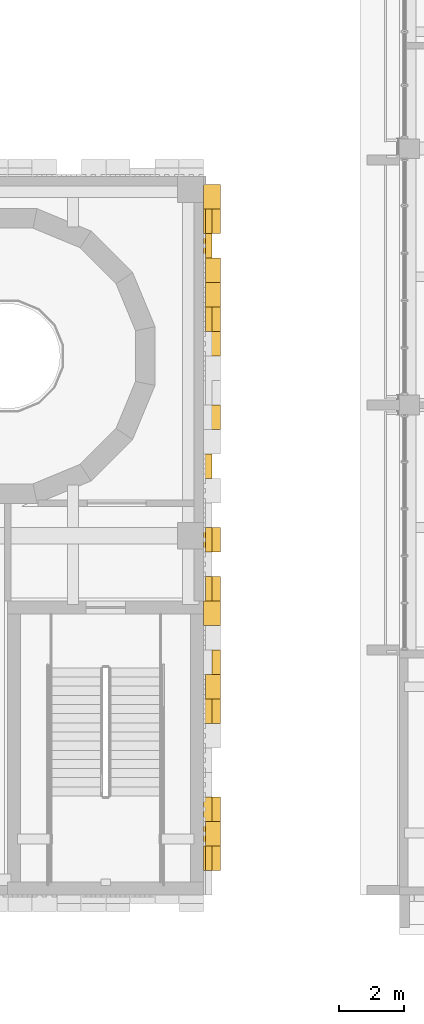
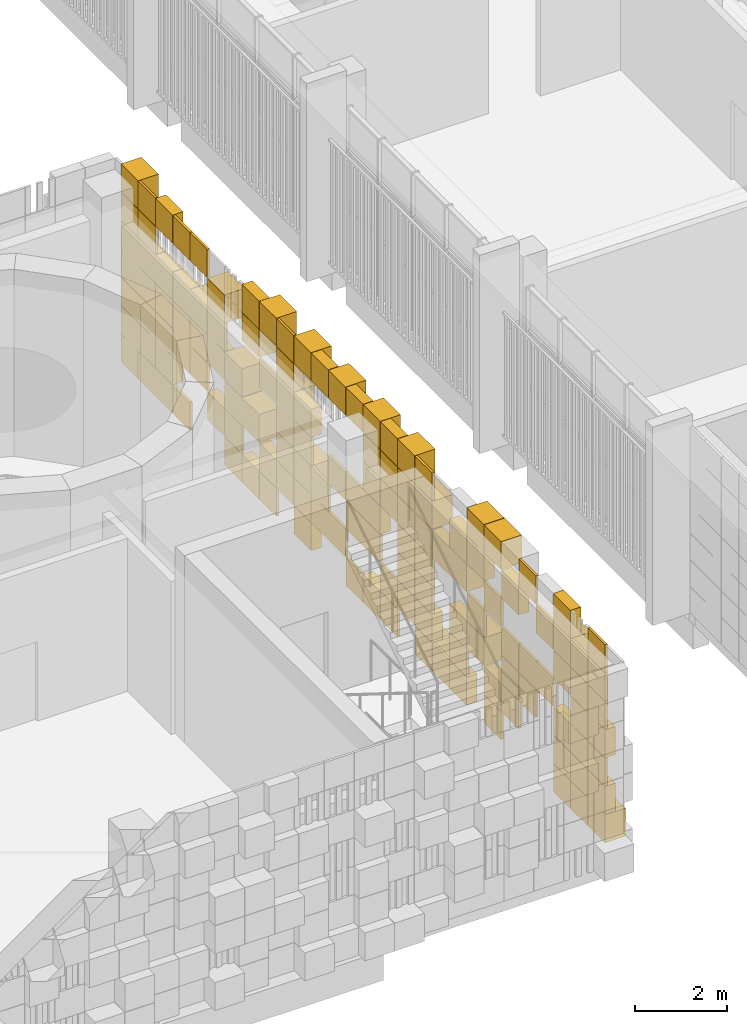
# One storey, part 106 of 125: 3 coverings.
"""IFC4 building model written with IfcOpenShell, lengths in metres."""

from ifc_helpers import new_model, si_unit, direction, frame, origin, origin_2d, place, context, subcontext, project, spatial, rectangle, extrude, material, layer, layer_set, type_object, element, save


model = new_model("IFC4")

# Units and contexts
model_context = context("Model", 3, precision=1e-05, world=origin(), true_north=direction((0.0, 1.0)))
body_context = subcontext(model_context, "Body", "Model", "MODEL_VIEW")
ifc_project = project(units=[si_unit("LENGTHUNIT", "METRE"), si_unit("AREAUNIT", "SQUARE_METRE"), si_unit("VOLUMEUNIT", "CUBIC_METRE"), si_unit("PLANEANGLEUNIT", "RADIAN"), si_unit("MASSUNIT", "GRAM", prefix="KILO")], contexts=[model_context])

# Site, building, storey
site_placement = place(None, origin())
site = spatial("IfcSite", under=ifc_project, at=site_placement, CompositionType="ELEMENT")
building_placement = place(site_placement, origin())
building = spatial("IfcBuilding", under=site, at=building_placement, Name="Sun Court Science Centre", CompositionType="ELEMENT")
storey_placement = place(building_placement, frame((0.0, 0.0, 6.0)))
storey = spatial("IfcBuildingStorey", under=building, at=storey_placement, Name="L01", CompositionType="ELEMENT", Elevation=6.0)

# Coverings
ifc_material_1 = material(Name="Terracotta shade 1", Category="masonry")
ifc_layer_1 = layer(ifc_material_1, 0.06005859375)
ifc_layer_set_1 = layer_set([ifc_layer_1], Name="Terracotta shade 1")
covering_type_1 = type_object("IfcCoveringType", Name="Terracotta pixel panel shade 1", PredefinedType="CLADDING", material=ifc_layer_set_1)
covering_1_placement = place(storey_placement, frame((0.0, 0.0, -6.0)))
element("IfcCovering", 1, at=covering_1_placement, inside=storey, type_object=covering_type_1, Name="Terracotta pixel cladding shade 1 east face L01", PredefinedType="CLADDING", context=body_context, shape_type="SweptSolid", body=[
    extrude(rectangle(XDim=0.739990234375, YDim=0.06005859375, at=origin_2d()), frame((72.030029296875, 27.375, 6.0048828125), z_axis=(0.0, 0.0, 1.0), x_axis=(0.0, -1.0, 0.0)), (0.0, 0.0, 1.0), 0.739990234375),
    extrude(rectangle(XDim=0.739990234375, YDim=0.06005859375, at=origin_2d()), frame((72.030029296875, 25.125, 6.0048828125), z_axis=(0.0, 0.0, 1.0), x_axis=(0.0, -1.0, 0.0)), (0.0, 0.0, 1.0), 0.739990234375),
    extrude(rectangle(XDim=0.739990234375, YDim=0.260009765625, at=origin_2d()), frame((72.1298828125, 13.125, 6.0048828125), z_axis=(0.0, 0.0, 1.0), x_axis=(0.0, -1.0, 0.0)), (0.0, 0.0, 1.0), 0.739990234375),
    extrude(rectangle(XDim=0.739990234375, YDim=0.06005859375, at=origin_2d()), frame((72.030029296875, 8.625, 6.0048828125), z_axis=(0.0, 0.0, 1.0), x_axis=(0.0, -1.0, 0.0)), (0.0, 0.0, 1.0), 0.739990234375),
    extrude(rectangle(XDim=0.739990234375, YDim=0.06005859375, at=origin_2d()), frame((72.030029296875, 26.625, 6.7548828125), z_axis=(0.0, 0.0, 1.0), x_axis=(0.0, -1.0, 0.0)), (0.0, 0.0, 1.0), 0.739990234375),
    extrude(rectangle(XDim=0.739990234375, YDim=0.260009765625, at=origin_2d()), frame((72.1298828125, 23.625, 6.7548828125), z_axis=(0.0, 0.0, 1.0), x_axis=(0.0, -1.0, 0.0)), (0.0, 0.0, 1.0), 0.739990234375),
    extrude(rectangle(XDim=0.739990234375, YDim=0.260009765625, at=origin_2d()), frame((72.1298828125, 21.375, 6.7548828125), z_axis=(0.0, 0.0, 1.0), x_axis=(0.0, -1.0, 0.0)), (0.0, 0.0, 1.0), 0.739990234375),
    extrude(rectangle(XDim=0.739990234375, YDim=0.06005859375, at=origin_2d()), frame((72.030029296875, 19.125, 6.7548828125), z_axis=(0.0, 0.0, 1.0), x_axis=(0.0, -1.0, 0.0)), (0.0, 0.0, 1.0), 0.739990234375),
    extrude(rectangle(XDim=0.739990234375, YDim=0.06005859375, at=origin_2d()), frame((72.030029296875, 18.375, 6.7548828125), z_axis=(0.0, 0.0, 1.0), x_axis=(0.0, -1.0, 0.0)), (0.0, 0.0, 1.0), 0.739990234375),
    extrude(rectangle(XDim=0.739990234375, YDim=0.260009765625, at=origin_2d()), frame((72.1298828125, 14.625, 6.7548828125), z_axis=(0.0, 0.0, 1.0), x_axis=(0.0, -1.0, 0.0)), (0.0, 0.0, 1.0), 0.739990234375),
    extrude(rectangle(XDim=0.739990234375, YDim=0.06005859375, at=origin_2d()), frame((72.030029296875, 13.125, 6.7548828125), z_axis=(0.0, 0.0, 1.0), x_axis=(0.0, -1.0, 0.0)), (0.0, 0.0, 1.0), 0.739990234375),
    extrude(rectangle(XDim=0.739990234375, YDim=0.06005859375, at=origin_2d()), frame((72.030029296875, 10.875, 6.7548828125), z_axis=(0.0, 0.0, 1.0), x_axis=(0.0, -1.0, 0.0)), (0.0, 0.0, 1.0), 0.739990234375),
    extrude(rectangle(XDim=0.739990234375, YDim=0.06005859375, at=origin_2d()), frame((72.030029296875, 7.875, 6.7548828125), z_axis=(0.0, 0.0, 1.0), x_axis=(0.0, -1.0, 0.0)), (0.0, 0.0, 1.0), 0.739990234375),
    extrude(rectangle(XDim=0.739990234375, YDim=0.260009765625, at=origin_2d()), frame((72.1298828125, 7.125, 6.7548828125), z_axis=(0.0, 0.0, 1.0), x_axis=(0.0, -1.0, 0.0)), (0.0, 0.0, 1.0), 0.739990234375),
    extrude(rectangle(XDim=0.739990234375, YDim=0.06005859375, at=origin_2d()), frame((72.030029296875, 26.625, 7.5048828125), z_axis=(0.0, 0.0, 1.0), x_axis=(0.0, -1.0, 0.0)), (0.0, 0.0, 1.0), 0.739990234375),
    extrude(rectangle(XDim=0.739990234375, YDim=0.06005859375, at=origin_2d()), frame((72.030029296875, 24.375, 7.5048828125), z_axis=(0.0, 0.0, 1.0), x_axis=(0.0, -1.0, 0.0)), (0.0, 0.0, 1.0), 0.739990234375),
    extrude(rectangle(XDim=0.739990234375, YDim=0.510009765625, at=origin_2d()), frame((72.2548828125, 22.875, 7.5048828125), z_axis=(0.0, 0.0, 1.0), x_axis=(0.0, -1.0, 0.0)), (0.0, 0.0, 1.0), 0.739990234375),
    extrude(rectangle(XDim=0.739990234375, YDim=0.510009765625, at=origin_2d()), frame((72.2548828125, 22.125, 7.5048828125), z_axis=(0.0, 0.0, 1.0), x_axis=(0.0, -1.0, 0.0)), (0.0, 0.0, 1.0), 0.739990234375),
    extrude(rectangle(XDim=0.739990234375, YDim=0.06005859375, at=origin_2d()), frame((72.030029296875, 19.125, 7.5048828125), z_axis=(0.0, 0.0, 1.0), x_axis=(0.0, -1.0, 0.0)), (0.0, 0.0, 1.0), 0.739990234375),
    extrude(rectangle(XDim=0.739990234375, YDim=0.510009765625, at=origin_2d()), frame((72.2548828125, 15.375, 7.5048828125), z_axis=(0.0, 0.0, 1.0), x_axis=(0.0, -1.0, 0.0)), (0.0, 0.0, 1.0), 0.739990234375),
    extrude(rectangle(XDim=0.739990234375, YDim=0.510009765625, at=origin_2d()), frame((72.2548828125, 12.375, 7.5048828125), z_axis=(0.0, 0.0, 1.0), x_axis=(0.0, -1.0, 0.0)), (0.0, 0.0, 1.0), 0.739990234375),
    extrude(rectangle(XDim=0.739990234375, YDim=0.06005859375, at=origin_2d()), frame((72.030029296875, 7.125, 7.5048828125), z_axis=(0.0, 0.0, 1.0), x_axis=(0.0, -1.0, 0.0)), (0.0, 0.0, 1.0), 0.739990234375),
    extrude(rectangle(XDim=0.739990234375, YDim=0.260009765625, at=origin_2d()), frame((72.1298828125, 27.375, 8.2548828125), z_axis=(0.0, 0.0, 1.0), x_axis=(0.0, -1.0, 0.0)), (0.0, 0.0, 1.0), 0.739990234375),
    extrude(rectangle(XDim=0.739990234375, YDim=0.510009765625, at=origin_2d()), frame((72.2548828125, 26.625, 8.2548828125), z_axis=(0.0, 0.0, 1.0), x_axis=(0.0, -1.0, 0.0)), (0.0, 0.0, 1.0), 0.739990234375),
    extrude(rectangle(XDim=0.739990234375, YDim=0.510009765625, at=origin_2d()), frame((72.2548828125, 24.375, 8.2548828125), z_axis=(0.0, 0.0, 1.0), x_axis=(0.0, -1.0, 0.0)), (0.0, 0.0, 1.0), 0.739990234375),
    extrude(rectangle(XDim=0.739990234375, YDim=0.510009765625, at=origin_2d()), frame((72.2548828125, 22.875, 8.2548828125), z_axis=(0.0, 0.0, 1.0), x_axis=(0.0, -1.0, 0.0)), (0.0, 0.0, 1.0), 0.739990234375),
    extrude(rectangle(XDim=0.739990234375, YDim=0.06005859375, at=origin_2d()), frame((72.030029296875, 18.375, 8.2548828125), z_axis=(0.0, 0.0, 1.0), x_axis=(0.0, -1.0, 0.0)), (0.0, 0.0, 1.0), 0.739990234375),
    extrude(rectangle(XDim=0.739990234375, YDim=0.06005859375, at=origin_2d()), frame((72.030029296875, 14.625, 8.2548828125), z_axis=(0.0, 0.0, 1.0), x_axis=(0.0, -1.0, 0.0)), (0.0, 0.0, 1.0), 0.739990234375),
    extrude(rectangle(XDim=0.739990234375, YDim=0.06005859375, at=origin_2d()), frame((72.030029296875, 10.875, 8.2548828125), z_axis=(0.0, 0.0, 1.0), x_axis=(0.0, -1.0, 0.0)), (0.0, 0.0, 1.0), 0.739990234375),
    extrude(rectangle(XDim=0.739990234375, YDim=0.260009765625, at=origin_2d()), frame((72.1298828125, 7.875, 8.2548828125), z_axis=(0.0, 0.0, 1.0), x_axis=(0.0, -1.0, 0.0)), (0.0, 0.0, 1.0), 0.739990234375),
    extrude(rectangle(XDim=0.739990234375, YDim=0.260009765625, at=origin_2d()), frame((72.1298828125, 26.625, 9.0048828125), z_axis=(0.0, 0.0, 1.0), x_axis=(0.0, -1.0, 0.0)), (0.0, 0.0, 1.0), 0.739990234375),
    extrude(rectangle(XDim=0.739990234375, YDim=0.260009765625, at=origin_2d()), frame((72.1298828125, 25.875, 9.0048828125), z_axis=(0.0, 0.0, 1.0), x_axis=(0.0, -1.0, 0.0)), (0.0, 0.0, 1.0), 0.739990234375),
    extrude(rectangle(XDim=0.739990234375, YDim=0.06005859375, at=origin_2d()), frame((72.030029296875, 21.375, 9.0048828125), z_axis=(0.0, 0.0, 1.0), x_axis=(0.0, -1.0, 0.0)), (0.0, 0.0, 1.0), 0.739990234375),
    extrude(rectangle(XDim=0.739990234375, YDim=0.06005859375, at=origin_2d()), frame((72.030029296875, 16.875, 9.0048828125), z_axis=(0.0, 0.0, 1.0), x_axis=(0.0, -1.0, 0.0)), (0.0, 0.0, 1.0), 0.739990234375),
    extrude(rectangle(XDim=0.739990234375, YDim=0.260009765625, at=origin_2d()), frame((72.1298828125, 14.625, 9.0048828125), z_axis=(0.0, 0.0, 1.0), x_axis=(0.0, -1.0, 0.0)), (0.0, 0.0, 1.0), 0.739990234375),
    extrude(rectangle(XDim=0.739990234375, YDim=0.06005859375, at=origin_2d()), frame((72.030029296875, 8.625, 9.0048828125), z_axis=(0.0, 0.0, 1.0), x_axis=(0.0, -1.0, 0.0)), (0.0, 0.0, 1.0), 0.739990234375),
    extrude(rectangle(XDim=0.739990234375, YDim=0.260009765625, at=origin_2d()), frame((72.1298828125, 20.625, 9.7548828125), z_axis=(0.0, 0.0, 1.0), x_axis=(0.0, -1.0, 0.0)), (0.0, 0.0, 1.0), 0.739990234375),
    extrude(rectangle(XDim=0.739990234375, YDim=0.260009765625, at=origin_2d()), frame((72.1298828125, 16.125, 9.7548828125), z_axis=(0.0, 0.0, 1.0), x_axis=(0.0, -1.0, 0.0)), (0.0, 0.0, 1.0), 0.739990234375),
    extrude(rectangle(XDim=0.739990234375, YDim=0.510009765625, at=origin_2d()), frame((72.2548828125, 14.625, 9.7548828125), z_axis=(0.0, 0.0, 1.0), x_axis=(0.0, -1.0, 0.0)), (0.0, 0.0, 1.0), 0.739990234375),
    extrude(rectangle(XDim=0.739990234375, YDim=0.260009765625, at=origin_2d()), frame((72.1298828125, 13.125, 9.7548828125), z_axis=(0.0, 0.0, 1.0), x_axis=(0.0, -1.0, 0.0)), (0.0, 0.0, 1.0), 0.739990234375),
    extrude(rectangle(XDim=0.739990234375, YDim=0.06005859375, at=origin_2d()), frame((72.030029296875, 9.375, 9.7548828125), z_axis=(0.0, 0.0, 1.0), x_axis=(0.0, -1.0, 0.0)), (0.0, 0.0, 1.0), 0.739990234375),
    extrude(rectangle(XDim=0.739990234375, YDim=0.510009765625, at=origin_2d()), frame((72.2548828125, 8.625, 9.7548828125), z_axis=(0.0, 0.0, 1.0), x_axis=(0.0, -1.0, 0.0)), (0.0, 0.0, 1.0), 0.739990234375),
    extrude(rectangle(XDim=0.739990234375, YDim=0.260009765625, at=origin_2d()), frame((72.1298828125, 25.875, 10.5048828125), z_axis=(0.0, 0.0, 1.0), x_axis=(0.0, -1.0, 0.0)), (0.0, 0.0, 1.0), 0.739990234375),
    extrude(rectangle(XDim=0.739990234375, YDim=0.06005859375, at=origin_2d()), frame((72.030029296875, 25.125, 10.5048828125), z_axis=(0.0, 0.0, 1.0), x_axis=(0.0, -1.0, 0.0)), (0.0, 0.0, 1.0), 0.739990234375),
    extrude(rectangle(XDim=0.739990234375, YDim=0.510009765625, at=origin_2d()), frame((72.2548828125, 19.875, 10.5048828125), z_axis=(0.0, 0.0, 1.0), x_axis=(0.0, -1.0, 0.0)), (0.0, 0.0, 1.0), 0.739990234375),
    extrude(rectangle(XDim=0.739990234375, YDim=0.510009765625, at=origin_2d()), frame((72.2548828125, 18.375, 10.5048828125), z_axis=(0.0, 0.0, 1.0), x_axis=(0.0, -1.0, 0.0)), (0.0, 0.0, 1.0), 0.739990234375),
    extrude(rectangle(XDim=0.739990234375, YDim=0.260009765625, at=origin_2d()), frame((72.1298828125, 17.625, 10.5048828125), z_axis=(0.0, 0.0, 1.0), x_axis=(0.0, -1.0, 0.0)), (0.0, 0.0, 1.0), 0.739990234375),
    extrude(rectangle(XDim=0.739990234375, YDim=0.510009765625, at=origin_2d()), frame((72.2548828125, 11.625, 10.5048828125), z_axis=(0.0, 0.0, 1.0), x_axis=(0.0, -1.0, 0.0)), (0.0, 0.0, 1.0), 0.739990234375),
    extrude(rectangle(XDim=0.739990234375, YDim=0.06005859375, at=origin_2d()), frame((72.030029296875, 7.125, 10.5048828125), z_axis=(0.0, 0.0, 1.0), x_axis=(0.0, -1.0, 0.0)), (0.0, 0.0, 1.0), 0.739990234375),
    extrude(rectangle(XDim=0.739990234375, YDim=0.510009765625, at=origin_2d()), frame((72.2548828125, 7.125, 6.0048828125), z_axis=(0.0, 0.0, 1.0), x_axis=(0.0, -1.0, 0.0)), (0.0, 0.0, 1.0), 0.739990234375),
    extrude(rectangle(XDim=0.739990234375, YDim=0.260009765625, at=origin_2d()), frame((72.1298828125, 7.125, 8.2548828125), z_axis=(0.0, 0.0, 1.0), x_axis=(0.0, -1.0, 0.0)), (0.0, 0.0, 1.0), 0.739990234375),
    extrude(rectangle(XDim=0.739990234375, YDim=0.510009765625, at=origin_2d()), frame((72.2548828125, 27.375, 7.5048828125), z_axis=(0.0, 0.0, 1.0), x_axis=(0.0, -1.0, 0.0)), (0.0, 0.0, 1.0), 0.739990234375),
    extrude(rectangle(XDim=0.739990234375, YDim=0.510009765625, at=origin_2d()), frame((72.2548828125, 27.375, 10.5048828125), z_axis=(0.0, 0.0, 1.0), x_axis=(0.0, -1.0, 0.0)), (0.0, 0.0, 1.0), 0.739990234375),
    extrude(rectangle(XDim=0.739990234375, YDim=0.06005859375, at=origin_2d()), frame((72.030029296875, 7.125, 9.7548828125), z_axis=(0.0, 0.0, 1.0), x_axis=(0.0, -1.0, 0.0)), (0.0, 0.0, 1.0), 0.739990234375),
    extrude(rectangle(XDim=0.739990234375, YDim=0.06005859375, at=origin_2d()), frame((72.030029296875, 27.375, 9.7548828125), z_axis=(0.0, 0.0, 1.0), x_axis=(0.0, -1.0, 0.0)), (0.0, 0.0, 1.0), 0.739990234375),
    extrude(rectangle(XDim=0.739990234375, YDim=0.06005859375, at=origin_2d()), frame((72.030029296875, 7.125, 9.0048828125), z_axis=(0.0, 0.0, 1.0), x_axis=(0.0, -1.0, 0.0)), (0.0, 0.0, 1.0), 0.739990234375),
    extrude(rectangle(XDim=0.739990234375, YDim=0.06005859375, at=origin_2d()), frame((72.030029296875, 27.375, 6.7548828125), z_axis=(0.0, 0.0, 1.0), x_axis=(0.0, -1.0, 0.0)), (0.0, 0.0, 1.0), 0.739990234375),
    extrude(rectangle(XDim=0.739990234375, YDim=0.510009765625, at=origin_2d()), frame((72.2548828125, 27.375, 9.0048828125), z_axis=(0.0, 0.0, 1.0), x_axis=(0.0, -1.0, 0.0)), (0.0, 0.0, 1.0), 0.739990234375),
])
ifc_material_2 = material(Name="Terracotta shade 2", Category="masonry")
ifc_layer_2 = layer(ifc_material_2, 0.06005859375)
ifc_layer_set_2 = layer_set([ifc_layer_2], Name="Terracotta shade 2")
covering_type_2 = type_object("IfcCoveringType", Name="Terracotta pixel panel shade 2", PredefinedType="CLADDING", material=ifc_layer_set_2)
covering_2_placement = place(storey_placement, frame((0.0, 0.0, -6.0)))
element("IfcCovering", 2, at=covering_2_placement, inside=storey, type_object=covering_type_2, Name="Terracotta pixel cladding shade 2 east face L01", PredefinedType="CLADDING", context=body_context, shape_type="SweptSolid", body=[
    extrude(rectangle(XDim=0.739990234375, YDim=0.260009765625, at=origin_2d()), frame((72.1298828125, 26.625, 6.0048828125), z_axis=(0.0, 0.0, 1.0), x_axis=(0.0, -1.0, 0.0)), (0.0, 0.0, 1.0), 0.739990234375),
    extrude(rectangle(XDim=0.739990234375, YDim=0.06005859375, at=origin_2d()), frame((72.030029296875, 25.875, 6.0048828125), z_axis=(0.0, 0.0, 1.0), x_axis=(0.0, -1.0, 0.0)), (0.0, 0.0, 1.0), 0.739990234375),
    extrude(rectangle(XDim=0.739990234375, YDim=0.06005859375, at=origin_2d()), frame((72.030029296875, 22.875, 6.0048828125), z_axis=(0.0, 0.0, 1.0), x_axis=(0.0, -1.0, 0.0)), (0.0, 0.0, 1.0), 0.739990234375),
    extrude(rectangle(XDim=0.739990234375, YDim=0.06005859375, at=origin_2d()), frame((72.030029296875, 21.375, 6.0048828125), z_axis=(0.0, 0.0, 1.0), x_axis=(0.0, -1.0, 0.0)), (0.0, 0.0, 1.0), 0.739990234375),
    extrude(rectangle(XDim=0.739990234375, YDim=0.06005859375, at=origin_2d()), frame((72.030029296875, 17.625, 6.0048828125), z_axis=(0.0, 0.0, 1.0), x_axis=(0.0, -1.0, 0.0)), (0.0, 0.0, 1.0), 0.739990234375),
    extrude(rectangle(XDim=0.739990234375, YDim=0.06005859375, at=origin_2d()), frame((72.030029296875, 13.875, 6.0048828125), z_axis=(0.0, 0.0, 1.0), x_axis=(0.0, -1.0, 0.0)), (0.0, 0.0, 1.0), 0.739990234375),
    extrude(rectangle(XDim=0.739990234375, YDim=0.06005859375, at=origin_2d()), frame((72.030029296875, 7.875, 6.0048828125), z_axis=(0.0, 0.0, 1.0), x_axis=(0.0, -1.0, 0.0)), (0.0, 0.0, 1.0), 0.739990234375),
    extrude(rectangle(XDim=0.739990234375, YDim=0.260009765625, at=origin_2d()), frame((72.1298828125, 19.875, 6.7548828125), z_axis=(0.0, 0.0, 1.0), x_axis=(0.0, -1.0, 0.0)), (0.0, 0.0, 1.0), 0.739990234375),
    extrude(rectangle(XDim=0.739990234375, YDim=0.06005859375, at=origin_2d()), frame((72.030029296875, 16.125, 6.7548828125), z_axis=(0.0, 0.0, 1.0), x_axis=(0.0, -1.0, 0.0)), (0.0, 0.0, 1.0), 0.739990234375),
    extrude(rectangle(XDim=0.739990234375, YDim=0.260009765625, at=origin_2d()), frame((72.1298828125, 8.625, 6.7548828125), z_axis=(0.0, 0.0, 1.0), x_axis=(0.0, -1.0, 0.0)), (0.0, 0.0, 1.0), 0.739990234375),
    extrude(rectangle(XDim=0.739990234375, YDim=0.06005859375, at=origin_2d()), frame((72.030029296875, 20.625, 7.5048828125), z_axis=(0.0, 0.0, 1.0), x_axis=(0.0, -1.0, 0.0)), (0.0, 0.0, 1.0), 0.739990234375),
    extrude(rectangle(XDim=0.739990234375, YDim=0.06005859375, at=origin_2d()), frame((72.030029296875, 14.625, 7.5048828125), z_axis=(0.0, 0.0, 1.0), x_axis=(0.0, -1.0, 0.0)), (0.0, 0.0, 1.0), 0.739990234375),
    extrude(rectangle(XDim=0.739990234375, YDim=0.06005859375, at=origin_2d()), frame((72.030029296875, 19.875, 8.2548828125), z_axis=(0.0, 0.0, 1.0), x_axis=(0.0, -1.0, 0.0)), (0.0, 0.0, 1.0), 0.739990234375),
    extrude(rectangle(XDim=0.739990234375, YDim=0.06005859375, at=origin_2d()), frame((72.030029296875, 17.625, 8.2548828125), z_axis=(0.0, 0.0, 1.0), x_axis=(0.0, -1.0, 0.0)), (0.0, 0.0, 1.0), 0.739990234375),
    extrude(rectangle(XDim=0.739990234375, YDim=0.260009765625, at=origin_2d()), frame((72.1298828125, 16.875, 8.2548828125), z_axis=(0.0, 0.0, 1.0), x_axis=(0.0, -1.0, 0.0)), (0.0, 0.0, 1.0), 0.739990234375),
    extrude(rectangle(XDim=0.739990234375, YDim=0.260009765625, at=origin_2d()), frame((72.1298828125, 15.375, 8.2548828125), z_axis=(0.0, 0.0, 1.0), x_axis=(0.0, -1.0, 0.0)), (0.0, 0.0, 1.0), 0.739990234375),
    extrude(rectangle(XDim=0.739990234375, YDim=0.06005859375, at=origin_2d()), frame((72.030029296875, 10.125, 8.2548828125), z_axis=(0.0, 0.0, 1.0), x_axis=(0.0, -1.0, 0.0)), (0.0, 0.0, 1.0), 0.739990234375),
    extrude(rectangle(XDim=0.739990234375, YDim=0.06005859375, at=origin_2d()), frame((72.030029296875, 9.375, 8.2548828125), z_axis=(0.0, 0.0, 1.0), x_axis=(0.0, -1.0, 0.0)), (0.0, 0.0, 1.0), 0.739990234375),
    extrude(rectangle(XDim=0.739990234375, YDim=0.260009765625, at=origin_2d()), frame((72.1298828125, 25.125, 9.0048828125), z_axis=(0.0, 0.0, 1.0), x_axis=(0.0, -1.0, 0.0)), (0.0, 0.0, 1.0), 0.739990234375),
    extrude(rectangle(XDim=0.739990234375, YDim=0.510009765625, at=origin_2d()), frame((72.2548828125, 24.375, 9.0048828125), z_axis=(0.0, 0.0, 1.0), x_axis=(0.0, -1.0, 0.0)), (0.0, 0.0, 1.0), 0.739990234375),
    extrude(rectangle(XDim=0.739990234375, YDim=0.260009765625, at=origin_2d()), frame((72.1298828125, 19.875, 9.0048828125), z_axis=(0.0, 0.0, 1.0), x_axis=(0.0, -1.0, 0.0)), (0.0, 0.0, 1.0), 0.739990234375),
    extrude(rectangle(XDim=0.739990234375, YDim=0.06005859375, at=origin_2d()), frame((72.030029296875, 16.125, 9.0048828125), z_axis=(0.0, 0.0, 1.0), x_axis=(0.0, -1.0, 0.0)), (0.0, 0.0, 1.0), 0.739990234375),
    extrude(rectangle(XDim=0.739990234375, YDim=0.260009765625, at=origin_2d()), frame((72.1298828125, 13.875, 9.0048828125), z_axis=(0.0, 0.0, 1.0), x_axis=(0.0, -1.0, 0.0)), (0.0, 0.0, 1.0), 0.739990234375),
    extrude(rectangle(XDim=0.739990234375, YDim=0.510009765625, at=origin_2d()), frame((72.2548828125, 13.125, 9.0048828125), z_axis=(0.0, 0.0, 1.0), x_axis=(0.0, -1.0, 0.0)), (0.0, 0.0, 1.0), 0.739990234375),
    extrude(rectangle(XDim=0.739990234375, YDim=0.06005859375, at=origin_2d()), frame((72.030029296875, 11.625, 9.0048828125), z_axis=(0.0, 0.0, 1.0), x_axis=(0.0, -1.0, 0.0)), (0.0, 0.0, 1.0), 0.739990234375),
    extrude(rectangle(XDim=0.739990234375, YDim=0.510009765625, at=origin_2d()), frame((72.2548828125, 23.625, 9.7548828125), z_axis=(0.0, 0.0, 1.0), x_axis=(0.0, -1.0, 0.0)), (0.0, 0.0, 1.0), 0.739990234375),
    extrude(rectangle(XDim=0.739990234375, YDim=0.260009765625, at=origin_2d()), frame((72.1298828125, 12.375, 9.7548828125), z_axis=(0.0, 0.0, 1.0), x_axis=(0.0, -1.0, 0.0)), (0.0, 0.0, 1.0), 0.739990234375),
    extrude(rectangle(XDim=0.739990234375, YDim=0.260009765625, at=origin_2d()), frame((72.1298828125, 10.875, 9.7548828125), z_axis=(0.0, 0.0, 1.0), x_axis=(0.0, -1.0, 0.0)), (0.0, 0.0, 1.0), 0.739990234375),
    extrude(rectangle(XDim=0.739990234375, YDim=0.06005859375, at=origin_2d()), frame((72.030029296875, 24.375, 10.5048828125), z_axis=(0.0, 0.0, 1.0), x_axis=(0.0, -1.0, 0.0)), (0.0, 0.0, 1.0), 0.739990234375),
    extrude(rectangle(XDim=0.739990234375, YDim=0.260009765625, at=origin_2d()), frame((72.1298828125, 22.125, 10.5048828125), z_axis=(0.0, 0.0, 1.0), x_axis=(0.0, -1.0, 0.0)), (0.0, 0.0, 1.0), 0.739990234375),
    extrude(rectangle(XDim=0.739990234375, YDim=0.510009765625, at=origin_2d()), frame((72.2548828125, 21.375, 10.5048828125), z_axis=(0.0, 0.0, 1.0), x_axis=(0.0, -1.0, 0.0)), (0.0, 0.0, 1.0), 0.739990234375),
    extrude(rectangle(XDim=0.739990234375, YDim=0.510009765625, at=origin_2d()), frame((72.2548828125, 16.875, 10.5048828125), z_axis=(0.0, 0.0, 1.0), x_axis=(0.0, -1.0, 0.0)), (0.0, 0.0, 1.0), 0.739990234375),
    extrude(rectangle(XDim=0.739990234375, YDim=0.510009765625, at=origin_2d()), frame((72.2548828125, 15.375, 10.5048828125), z_axis=(0.0, 0.0, 1.0), x_axis=(0.0, -1.0, 0.0)), (0.0, 0.0, 1.0), 0.739990234375),
    extrude(rectangle(XDim=0.739990234375, YDim=0.06005859375, at=origin_2d()), frame((72.030029296875, 14.625, 10.5048828125), z_axis=(0.0, 0.0, 1.0), x_axis=(0.0, -1.0, 0.0)), (0.0, 0.0, 1.0), 0.739990234375),
    extrude(rectangle(XDim=0.739990234375, YDim=0.510009765625, at=origin_2d()), frame((72.2548828125, 12.375, 10.5048828125), z_axis=(0.0, 0.0, 1.0), x_axis=(0.0, -1.0, 0.0)), (0.0, 0.0, 1.0), 0.739990234375),
    extrude(rectangle(XDim=0.739990234375, YDim=0.06005859375, at=origin_2d()), frame((72.030029296875, 10.125, 10.5048828125), z_axis=(0.0, 0.0, 1.0), x_axis=(0.0, -1.0, 0.0)), (0.0, 0.0, 1.0), 0.739990234375),
    extrude(rectangle(XDim=0.739990234375, YDim=0.06005859375, at=origin_2d()), frame((72.030029296875, 7.875, 7.5048828125), z_axis=(0.0, 0.0, 1.0), x_axis=(0.0, -1.0, 0.0)), (0.0, 0.0, 1.0), 0.739990234375),
    extrude(rectangle(XDim=0.739990234375, YDim=0.06005859375, at=origin_2d()), frame((72.030029296875, 7.875, 9.7548828125), z_axis=(0.0, 0.0, 1.0), x_axis=(0.0, -1.0, 0.0)), (0.0, 0.0, 1.0), 0.739990234375),
    extrude(rectangle(XDim=0.739990234375, YDim=0.510009765625, at=origin_2d()), frame((72.2548828125, 7.875, 9.0048828125), z_axis=(0.0, 0.0, 1.0), x_axis=(0.0, -1.0, 0.0)), (0.0, 0.0, 1.0), 0.739990234375),
    extrude(rectangle(XDim=0.739990234375, YDim=0.06005859375, at=origin_2d()), frame((72.030029296875, 26.625, 9.7548828125), z_axis=(0.0, 0.0, 1.0), x_axis=(0.0, -1.0, 0.0)), (0.0, 0.0, 1.0), 0.739990234375),
    extrude(rectangle(XDim=0.739990234375, YDim=0.06005859375, at=origin_2d()), frame((72.030029296875, 26.625, 10.5048828125), z_axis=(0.0, 0.0, 1.0), x_axis=(0.0, -1.0, 0.0)), (0.0, 0.0, 1.0), 0.739990234375),
])
ifc_material_3 = material(Name="Terracotta shade 3", Category="masonry")
ifc_layer_3 = layer(ifc_material_3, 0.06005859375)
ifc_layer_set_3 = layer_set([ifc_layer_3], Name="Terracotta shade 3")
covering_type_3 = type_object("IfcCoveringType", Name="Terracotta pixel panel shade 3", PredefinedType="CLADDING", material=ifc_layer_set_3)
covering_3_placement = place(storey_placement, frame((0.0, 0.0, -6.0)))
element("IfcCovering", 3, at=covering_3_placement, inside=storey, type_object=covering_type_3, Name="Terracotta pixel cladding shade 3 east face L01", PredefinedType="CLADDING", context=body_context, shape_type="SweptSolid", body=[
    extrude(rectangle(XDim=0.739990234375, YDim=0.260009765625, at=origin_2d()), frame((72.1298828125, 22.125, 6.0048828125), z_axis=(0.0, 0.0, 1.0), x_axis=(0.0, -1.0, 0.0)), (0.0, 0.0, 1.0), 0.739990234375),
    extrude(rectangle(XDim=0.739990234375, YDim=0.260009765625, at=origin_2d()), frame((72.1298828125, 19.875, 6.0048828125), z_axis=(0.0, 0.0, 1.0), x_axis=(0.0, -1.0, 0.0)), (0.0, 0.0, 1.0), 0.739990234375),
    extrude(rectangle(XDim=0.739990234375, YDim=0.260009765625, at=origin_2d()), frame((72.1298828125, 16.875, 6.0048828125), z_axis=(0.0, 0.0, 1.0), x_axis=(0.0, -1.0, 0.0)), (0.0, 0.0, 1.0), 0.739990234375),
    extrude(rectangle(XDim=0.739990234375, YDim=0.06005859375, at=origin_2d()), frame((72.030029296875, 16.125, 6.0048828125), z_axis=(0.0, 0.0, 1.0), x_axis=(0.0, -1.0, 0.0)), (0.0, 0.0, 1.0), 0.739990234375),
    extrude(rectangle(XDim=0.739990234375, YDim=0.510009765625, at=origin_2d()), frame((72.2548828125, 14.625, 6.0048828125), z_axis=(0.0, 0.0, 1.0), x_axis=(0.0, -1.0, 0.0)), (0.0, 0.0, 1.0), 0.739990234375),
    extrude(rectangle(XDim=0.739990234375, YDim=0.06005859375, at=origin_2d()), frame((72.030029296875, 11.625, 6.0048828125), z_axis=(0.0, 0.0, 1.0), x_axis=(0.0, -1.0, 0.0)), (0.0, 0.0, 1.0), 0.739990234375),
    extrude(rectangle(XDim=0.739990234375, YDim=0.260009765625, at=origin_2d()), frame((72.1298828125, 25.875, 6.7548828125), z_axis=(0.0, 0.0, 1.0), x_axis=(0.0, -1.0, 0.0)), (0.0, 0.0, 1.0), 0.739990234375),
    extrude(rectangle(XDim=0.739990234375, YDim=0.06005859375, at=origin_2d()), frame((72.030029296875, 22.875, 6.7548828125), z_axis=(0.0, 0.0, 1.0), x_axis=(0.0, -1.0, 0.0)), (0.0, 0.0, 1.0), 0.739990234375),
    extrude(rectangle(XDim=0.739990234375, YDim=0.510009765625, at=origin_2d()), frame((72.2548828125, 20.625, 6.7548828125), z_axis=(0.0, 0.0, 1.0), x_axis=(0.0, -1.0, 0.0)), (0.0, 0.0, 1.0), 0.739990234375),
    extrude(rectangle(XDim=0.739990234375, YDim=0.260009765625, at=origin_2d()), frame((72.1298828125, 15.375, 6.7548828125), z_axis=(0.0, 0.0, 1.0), x_axis=(0.0, -1.0, 0.0)), (0.0, 0.0, 1.0), 0.739990234375),
    extrude(rectangle(XDim=0.739990234375, YDim=0.260009765625, at=origin_2d()), frame((72.1298828125, 11.625, 6.7548828125), z_axis=(0.0, 0.0, 1.0), x_axis=(0.0, -1.0, 0.0)), (0.0, 0.0, 1.0), 0.739990234375),
    extrude(rectangle(XDim=0.739990234375, YDim=0.06005859375, at=origin_2d()), frame((72.030029296875, 25.875, 7.5048828125), z_axis=(0.0, 0.0, 1.0), x_axis=(0.0, -1.0, 0.0)), (0.0, 0.0, 1.0), 0.739990234375),
    extrude(rectangle(XDim=0.739990234375, YDim=0.510009765625, at=origin_2d()), frame((72.2548828125, 25.125, 7.5048828125), z_axis=(0.0, 0.0, 1.0), x_axis=(0.0, -1.0, 0.0)), (0.0, 0.0, 1.0), 0.739990234375),
    extrude(rectangle(XDim=0.739990234375, YDim=0.510009765625, at=origin_2d()), frame((72.2548828125, 19.875, 7.5048828125), z_axis=(0.0, 0.0, 1.0), x_axis=(0.0, -1.0, 0.0)), (0.0, 0.0, 1.0), 0.739990234375),
    extrude(rectangle(XDim=0.739990234375, YDim=0.06005859375, at=origin_2d()), frame((72.030029296875, 17.625, 7.5048828125), z_axis=(0.0, 0.0, 1.0), x_axis=(0.0, -1.0, 0.0)), (0.0, 0.0, 1.0), 0.739990234375),
    extrude(rectangle(XDim=0.739990234375, YDim=0.06005859375, at=origin_2d()), frame((72.030029296875, 16.875, 7.5048828125), z_axis=(0.0, 0.0, 1.0), x_axis=(0.0, -1.0, 0.0)), (0.0, 0.0, 1.0), 0.739990234375),
    extrude(rectangle(XDim=0.739990234375, YDim=0.260009765625, at=origin_2d()), frame((72.1298828125, 13.125, 7.5048828125), z_axis=(0.0, 0.0, 1.0), x_axis=(0.0, -1.0, 0.0)), (0.0, 0.0, 1.0), 0.739990234375),
    extrude(rectangle(XDim=0.739990234375, YDim=0.510009765625, at=origin_2d()), frame((72.2548828125, 10.875, 7.5048828125), z_axis=(0.0, 0.0, 1.0), x_axis=(0.0, -1.0, 0.0)), (0.0, 0.0, 1.0), 0.739990234375),
    extrude(rectangle(XDim=0.739990234375, YDim=0.06005859375, at=origin_2d()), frame((72.030029296875, 10.125, 7.5048828125), z_axis=(0.0, 0.0, 1.0), x_axis=(0.0, -1.0, 0.0)), (0.0, 0.0, 1.0), 0.739990234375),
    extrude(rectangle(XDim=0.739990234375, YDim=0.06005859375, at=origin_2d()), frame((72.030029296875, 25.125, 8.2548828125), z_axis=(0.0, 0.0, 1.0), x_axis=(0.0, -1.0, 0.0)), (0.0, 0.0, 1.0), 0.739990234375),
    extrude(rectangle(XDim=0.739990234375, YDim=0.260009765625, at=origin_2d()), frame((72.1298828125, 23.625, 8.2548828125), z_axis=(0.0, 0.0, 1.0), x_axis=(0.0, -1.0, 0.0)), (0.0, 0.0, 1.0), 0.739990234375),
    extrude(rectangle(XDim=0.739990234375, YDim=0.06005859375, at=origin_2d()), frame((72.030029296875, 20.625, 8.2548828125), z_axis=(0.0, 0.0, 1.0), x_axis=(0.0, -1.0, 0.0)), (0.0, 0.0, 1.0), 0.739990234375),
    extrude(rectangle(XDim=0.739990234375, YDim=0.06005859375, at=origin_2d()), frame((72.030029296875, 12.375, 8.2548828125), z_axis=(0.0, 0.0, 1.0), x_axis=(0.0, -1.0, 0.0)), (0.0, 0.0, 1.0), 0.739990234375),
    extrude(rectangle(XDim=0.739990234375, YDim=0.06005859375, at=origin_2d()), frame((72.030029296875, 23.625, 9.0048828125), z_axis=(0.0, 0.0, 1.0), x_axis=(0.0, -1.0, 0.0)), (0.0, 0.0, 1.0), 0.739990234375),
    extrude(rectangle(XDim=0.739990234375, YDim=0.510009765625, at=origin_2d()), frame((72.2548828125, 20.625, 9.0048828125), z_axis=(0.0, 0.0, 1.0), x_axis=(0.0, -1.0, 0.0)), (0.0, 0.0, 1.0), 0.739990234375),
    extrude(rectangle(XDim=0.739990234375, YDim=0.260009765625, at=origin_2d()), frame((72.1298828125, 15.375, 9.0048828125), z_axis=(0.0, 0.0, 1.0), x_axis=(0.0, -1.0, 0.0)), (0.0, 0.0, 1.0), 0.739990234375),
    extrude(rectangle(XDim=0.739990234375, YDim=0.510009765625, at=origin_2d()), frame((72.2548828125, 22.125, 9.7548828125), z_axis=(0.0, 0.0, 1.0), x_axis=(0.0, -1.0, 0.0)), (0.0, 0.0, 1.0), 0.739990234375),
    extrude(rectangle(XDim=0.739990234375, YDim=0.06005859375, at=origin_2d()), frame((72.030029296875, 16.875, 9.7548828125), z_axis=(0.0, 0.0, 1.0), x_axis=(0.0, -1.0, 0.0)), (0.0, 0.0, 1.0), 0.739990234375),
    extrude(rectangle(XDim=0.739990234375, YDim=0.06005859375, at=origin_2d()), frame((72.030029296875, 15.375, 9.7548828125), z_axis=(0.0, 0.0, 1.0), x_axis=(0.0, -1.0, 0.0)), (0.0, 0.0, 1.0), 0.739990234375),
    extrude(rectangle(XDim=0.739990234375, YDim=0.06005859375, at=origin_2d()), frame((72.030029296875, 20.625, 10.5048828125), z_axis=(0.0, 0.0, 1.0), x_axis=(0.0, -1.0, 0.0)), (0.0, 0.0, 1.0), 0.739990234375),
    extrude(rectangle(XDim=0.739990234375, YDim=0.260009765625, at=origin_2d()), frame((72.1298828125, 19.125, 10.5048828125), z_axis=(0.0, 0.0, 1.0), x_axis=(0.0, -1.0, 0.0)), (0.0, 0.0, 1.0), 0.739990234375),
    extrude(rectangle(XDim=0.739990234375, YDim=0.260009765625, at=origin_2d()), frame((72.1298828125, 16.125, 10.5048828125), z_axis=(0.0, 0.0, 1.0), x_axis=(0.0, -1.0, 0.0)), (0.0, 0.0, 1.0), 0.739990234375),
    extrude(rectangle(XDim=0.739990234375, YDim=0.260009765625, at=origin_2d()), frame((72.1298828125, 8.625, 10.5048828125), z_axis=(0.0, 0.0, 1.0), x_axis=(0.0, -1.0, 0.0)), (0.0, 0.0, 1.0), 0.739990234375),
    extrude(rectangle(XDim=0.739990234375, YDim=0.260009765625, at=origin_2d()), frame((72.1298828125, 8.625, 7.5048828125), z_axis=(0.0, 0.0, 1.0), x_axis=(0.0, -1.0, 0.0)), (0.0, 0.0, 1.0), 0.739990234375),
    extrude(rectangle(XDim=0.739990234375, YDim=0.06005859375, at=origin_2d()), frame((72.030029296875, 25.875, 8.2548828125), z_axis=(0.0, 0.0, 1.0), x_axis=(0.0, -1.0, 0.0)), (0.0, 0.0, 1.0), 0.739990234375),
])

save(model, "model.ifc")
